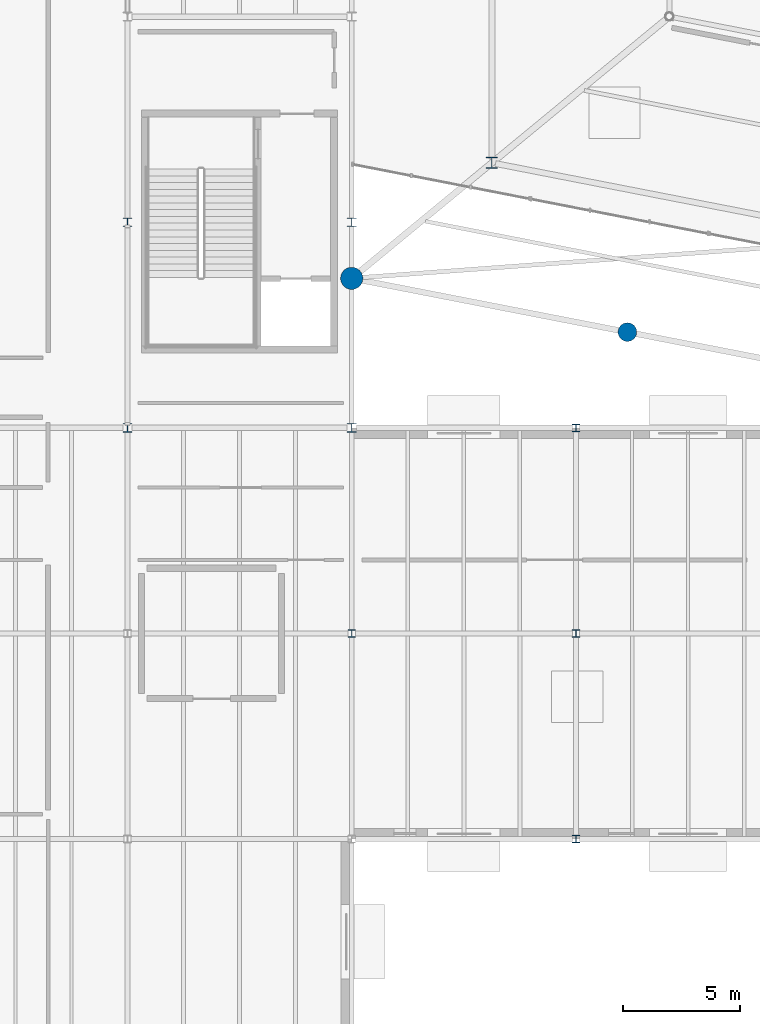
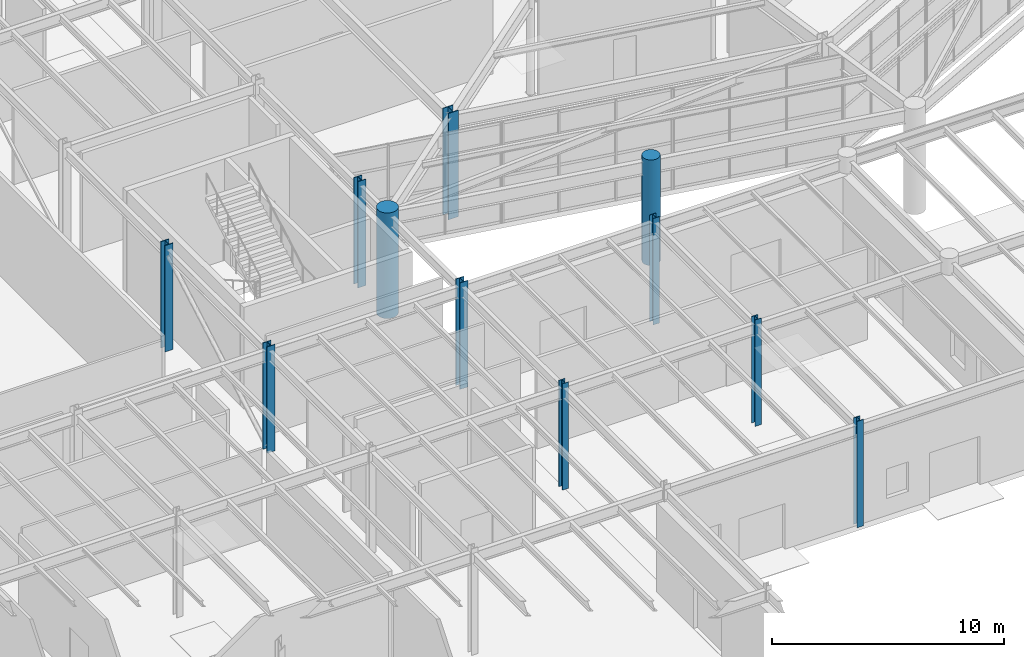
# One storey, part 9 of 70: 11 columns.
"""IFC4 building model written with IfcOpenShell, lengths in metres."""

from ifc_helpers import new_model, si_unit, direction, frame, origin, origin_2d, place, context, subcontext, project, spatial, circle, i_section, extrude, material, material_profile, profile_set, type_object, element, save


model = new_model("IFC4")

# Units and contexts
model_context = context("Model", 3, precision=1e-05, world=origin(), true_north=direction((0.0, 1.0)))
body_context = subcontext(model_context, "Body", "Model", "MODEL_VIEW")
ifc_project = project(units=[si_unit("LENGTHUNIT", "METRE"), si_unit("AREAUNIT", "SQUARE_METRE"), si_unit("VOLUMEUNIT", "CUBIC_METRE"), si_unit("PLANEANGLEUNIT", "RADIAN"), si_unit("MASSUNIT", "GRAM", prefix="KILO")], contexts=[model_context])

# Site, building, storey
site_placement = place(None, origin())
site = spatial("IfcSite", under=ifc_project, at=site_placement, CompositionType="ELEMENT")
building_placement = place(site_placement, origin())
building = spatial("IfcBuilding", under=site, at=building_placement, Name="Sarnbrook Museum", CompositionType="ELEMENT")
storey_placement = place(building_placement, origin())
storey = spatial("IfcBuildingStorey", under=building, at=storey_placement, Name="L00", CompositionType="ELEMENT", Elevation=0.0)

# Columns
ifc_material_1 = material(Name="Concrete N50 (AS 3600, f'c = 50 MPa)", Category="concrete")
ifc_material_profile_1 = material_profile(ifc_material_1, circle(Radius=0.39990234375, at=origin_2d()), Name="DORIC D800")
ifc_profile_set_1 = profile_set([ifc_material_profile_1], Name="Concrete N50 (AS 3600, f'c = 50 MPa)")
column_type_1 = type_object("IfcColumnType", Name="COL-DORIC800", PredefinedType="COLUMN", material=ifc_profile_set_1)
column_1_placement = place(storey_placement, frame((131.0, 60.89990234375, 0.0), z_axis=(0.0, 0.0, 1.0), x_axis=(1.0, 0.0, 0.0)))
element("IfcColumn", 1, at=column_1_placement, inside=storey, type_object=column_type_1, Name="Doric Colonnade Column M1 L00", PredefinedType="COLUMN", context=body_context, shape_type="SweptSolid", body=[
    extrude(circle(Radius=0.39990234375, at=origin_2d()), origin(), (0.0, 0.0, 1.0), 5.56005859375),
])
ifc_material_profile_2 = material_profile(ifc_material_1, circle(Radius=0.47509765625, at=origin_2d()), Name="DORIC D950")
ifc_profile_set_2 = profile_set([ifc_material_profile_2], Name="Concrete N50 (AS 3600, f'c = 50 MPa)")
column_type_2 = type_object("IfcColumnType", Name="COL-DORIC950", PredefinedType="COLUMN", material=ifc_profile_set_2)
column_2_placement = place(storey_placement, frame((119.199951171875, 63.199951171875, 0.0), z_axis=(0.0, 0.0, 1.0), x_axis=(1.0, 0.0, 0.0)))
element("IfcColumn", 2, at=column_2_placement, inside=storey, type_object=column_type_2, Name="Doric Colonnade Corner Column V1 L00", PredefinedType="COLUMN", context=body_context, shape_type="SweptSolid", body=[
    extrude(circle(Radius=0.47509765625, at=origin_2d()), origin(), (0.0, 0.0, 1.0), 5.56005859375),
])
ifc_material_2 = material(Name="Structural Steel Grade 300PLUS (AS/NZS 3679.1, fy = 280 MPa for 17 < t <= 40 mm, 300 MPa for t <= 17 mm)", Category="steel")
ifc_material_profile_3 = material_profile(ifc_material_2, i_section(OverallWidth=0.31103515625, OverallDepth=0.326904296875, WebThickness=0.015625, FlangeThickness=0.02490234375, FilletRadius=0.0166015625, at=origin_2d()), Name="310UC158")
ifc_profile_set_3 = profile_set([ifc_material_profile_3], Name="Structural Steel Grade 300PLUS (AS/NZS 3679.1, fy = 280 MPa for 17 < t <= 40 mm, 300 MPa for t <= 17 mm)")
column_type_3 = type_object("IfcColumnType", Name="COL-UC310H", PredefinedType="COLUMN", material=ifc_profile_set_3)
for number, where, z_axis, x_axis, name in (
    (3, (119.199951171875, 48.0, 0.0), (0.0, 0.0, 1.0), (1.0, 0.0, 0.0), "Column 13-F L00"),
    (4, (128.800048828125, 39.199951171875, 0.0), (0.0, 0.0, 1.0), (1.0, 0.0, 0.0), "Column 14-E L00"),
    (5, (128.800048828125, 48.0, 0.0), (0.0, 0.0, 1.0), (1.0, 0.0, 0.0), "Column 14-F L00"),
    (6, (128.800048828125, 56.800048828125, 0.0), (0.0, 0.0, 1.0), (1.0, 0.0, 0.0), "Column 14-G L00"),
):
    element("IfcColumn", number, at=place(storey_placement, frame(where, z_axis=z_axis, x_axis=x_axis)), inside=storey, type_object=column_type_3, Name=name, PredefinedType="COLUMN", context=body_context, shape_type="SweptSolid", body=[
        extrude(i_section(OverallWidth=0.31103515625, OverallDepth=0.326904296875, WebThickness=0.015625, FlangeThickness=0.02490234375, FilletRadius=0.0166015625, at=origin_2d()), origin(), (0.0, 0.0, 1.0), 5.60009765625),
    ])
ifc_material_3 = material(Name="Structural Steel Grade 350L0 (AS/NZS 3678, fy = 340 MPa for 20 < t <= 40 mm)", Category="steel")
ifc_material_profile_4 = material_profile(ifc_material_3, i_section(OverallWidth=0.39990234375, OverallDepth=0.382080078125, WebThickness=0.02490234375, FlangeThickness=0.035888671875, at=origin_2d()), Name="400WC270")
ifc_profile_set_4 = profile_set([ifc_material_profile_4], Name="Structural Steel Grade 350L0 (AS/NZS 3678, fy = 340 MPa for 20 < t <= 40 mm)")
column_type_4 = type_object("IfcColumnType", Name="COL-WC400", PredefinedType="COLUMN", material=ifc_profile_set_4)
for number, where, z_axis, x_axis, name in (
    (7, (109.60009765625, 56.800048828125, 0.0), (0.0, 0.0, 1.0), (1.0, 0.0, 0.0), "Column 12-G L00"),
    (8, (109.60009765625, 65.60009765625, 0.0), (0.0, 0.0, 1.0), (1.0, 0.0, 0.0), "Column 12-H L00"),
    (9, (119.199951171875, 56.800048828125, 0.0), (0.0, 0.0, 1.0), (1.0, 0.0, 0.0), "Column 13-G L00"),
    (10, (119.199951171875, 65.60009765625, 0.0), (0.0, 0.0, 1.0), (1.0, 0.0, 0.0), "Column 13-H L00"),
):
    element("IfcColumn", number, at=place(storey_placement, frame(where, z_axis=z_axis, x_axis=x_axis)), inside=storey, type_object=column_type_4, Name=name, PredefinedType="COLUMN", context=body_context, shape_type="SweptSolid", body=[
        extrude(i_section(OverallWidth=0.39990234375, OverallDepth=0.382080078125, WebThickness=0.02490234375, FlangeThickness=0.035888671875, at=origin_2d()), origin(), (0.0, 0.0, 1.0), 5.60009765625),
    ])
ifc_material_profile_5 = material_profile(ifc_material_3, i_section(OverallWidth=0.5, OverallDepth=0.489990234375, WebThickness=0.028076171875, FlangeThickness=0.0400390625, at=origin_2d()), Name="500WC340")
ifc_profile_set_5 = profile_set([ifc_material_profile_5], Name="Structural Steel Grade 350L0 (AS/NZS 3678, fy = 340 MPa for 20 < t <= 40 mm)")
column_type_5 = type_object("IfcColumnType", Name="COL-WC500", PredefinedType="COLUMN", material=ifc_profile_set_5)
column_3_placement = place(storey_placement, frame((125.199951171875, 68.143310546875, 0.0), z_axis=(0.0, 0.0, 1.0), x_axis=(1.0, 0.0, 0.0)))
element("IfcColumn", 11, at=column_3_placement, inside=storey, type_object=column_type_5, Name="Crystal Hall Ring Column R1-1 L00", PredefinedType="COLUMN", context=body_context, shape_type="SweptSolid", body=[
    extrude(i_section(OverallWidth=0.5, OverallDepth=0.489990234375, WebThickness=0.028076171875, FlangeThickness=0.0400390625, at=origin_2d()), origin(), (0.0, 0.0, 1.0), 5.60009765625),
])

save(model, "model.ifc")
